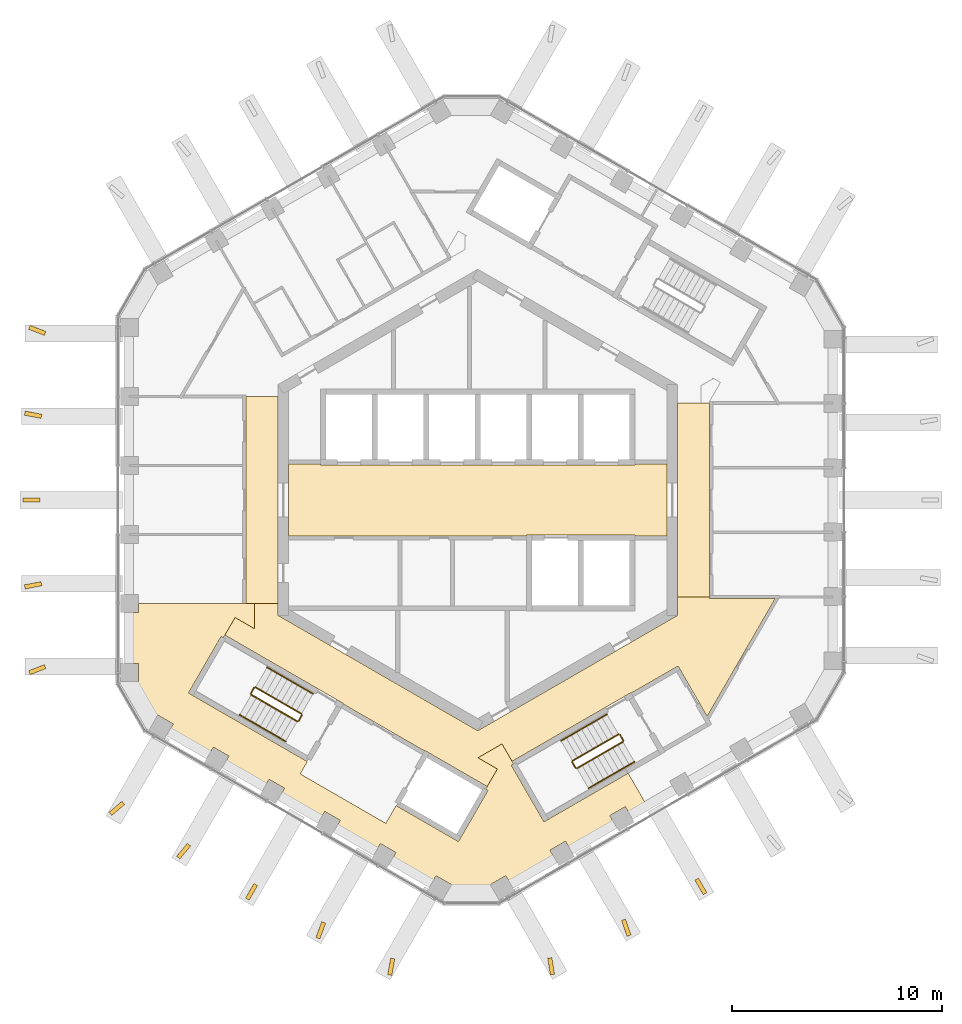
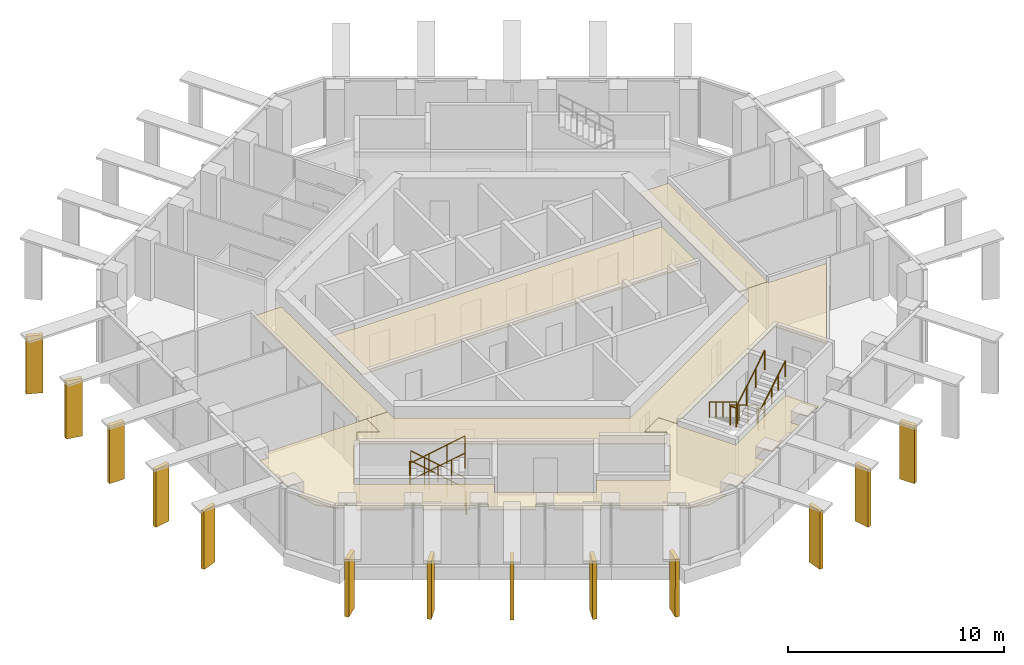
# One storey, part 16 of 19: 16 railings, 13 shading devices, 5 coverings.
"""IFC4 building model written with IfcOpenShell, lengths in metres."""

from ifc_helpers import new_model, si_unit, direction, frame, origin, origin_2d, place, context, subcontext, project, spatial, polyline, circle, outline, extrude, material, layer, layer_set, type_object, element, save


model = new_model("IFC4")

# Units and contexts
model_context = context("Model", 3, precision=1e-05, world=origin(), true_north=direction((0.0, 1.0)))
body_context = subcontext(model_context, "Body", "Model", "MODEL_VIEW")
ifc_project = project(units=[si_unit("LENGTHUNIT", "METRE"), si_unit("AREAUNIT", "SQUARE_METRE"), si_unit("VOLUMEUNIT", "CUBIC_METRE"), si_unit("PLANEANGLEUNIT", "RADIAN"), si_unit("MASSUNIT", "GRAM", prefix="KILO")], contexts=[model_context])

# Site, building, storey
site_placement = place(None, origin())
site = spatial("IfcSite", under=ifc_project, at=site_placement, CompositionType="ELEMENT")
building_placement = place(site_placement, origin())
building = spatial("IfcBuilding", under=site, at=building_placement, Name="Ayvan Gate Tower", CompositionType="ELEMENT")
storey_placement = place(building_placement, frame((0.0, 0.0, 235.89990234375)))
storey = spatial("IfcBuildingStorey", under=building, at=storey_placement, Name="L63", CompositionType="ELEMENT", Elevation=235.89990234375)

# Coverings
ifc_material_1 = material(Name="Plasterboard suspended ceiling")
ifc_layer_1 = layer(ifc_material_1, 0.050048828125)
ifc_layer_set_1 = layer_set([ifc_layer_1], Name="Plasterboard suspended ceiling")
covering_type = type_object("IfcCoveringType", Name="CT-SUSP-50", PredefinedType="CEILING", material=ifc_layer_set_1)
covering_1_placement = place(storey_placement, frame((0.0, 0.0, 2.7001953125)))
element("IfcCovering", 1, at=covering_1_placement, inside=storey, type_object=covering_type, Name="Ceiling Lift Lobby L63", PredefinedType="CEILING", context=body_context, shape_type="SweptSolid", body=[
    extrude(outline(polyline([(7.47509765625, -1.675048828125), (2.324951171875, -1.675048828125), (2.324951171875, -1.699951171875), (-9.0, -1.699951171875), (-9.0, 1.699951171875), (-7.47509765625, 1.699951171875), (-7.47509765625, 1.675048828125), (7.47509765625, 1.675048828125), (7.47509765625, 1.699951171875), (9.0, 1.699951171875), (9.0, -1.699951171875), (7.47509765625, -1.699951171875), (7.47509765625, -1.675048828125)])), origin(), (0.0, 0.0, 1.0), 0.0498046875),
])
covering_2_placement = place(storey_placement, frame((0.0, 0.0, 2.7001953125)))
element("IfcCovering", 2, at=covering_2_placement, inside=storey, type_object=covering_type, Name="Ceiling Gallery L63", PredefinedType="CEILING", context=body_context, shape_type="SweptSolid", body=[
    extrude(outline(polyline([(-4.66748046875, -8.27490234375), (0.0, -10.9697265625), (4.66748046875, -8.27490234375), (8.38720703125, -6.127197265625), (9.5, -5.48486328125), (9.5, -4.605224609375), (11.02490234375, -4.605224609375), (11.02490234375, -4.68017578125), (14.14453125, -4.68017578125), (10.906005859375, -10.28955078125), (9.623779296875, -8.069091796875), (9.52392578125, -7.89599609375), (7.2939453125, -9.183349609375), (7.281494140625, -9.16162109375), (1.630615234375, -12.42431640625), (1.153076171875, -11.59716796875), (0.010009765625, -12.257080078125), (0.930419921875, -12.78857421875), (0.447998046875, -13.624267578125), (-2.284423828125, -12.046630859375), (-2.518310546875, -11.91162109375), (-2.53076171875, -11.933349609375), (-6.384521484375, -9.70849609375), (-6.3720703125, -9.686767578125), (-12.02294921875, -6.42431640625), (-11.540283203125, -5.58837890625), (-10.6201171875, -6.119873046875), (-10.6201171875, -4.91357421875), (-9.5, -4.91357421875), (-9.5, -5.48486328125), (-4.66748046875, -8.27490234375)])), origin(), (0.0, 0.0, 1.0), 0.0498046875),
])
covering_3_placement = place(storey_placement, frame((0.0, 0.0, 2.7001953125)))
element("IfcCovering", 3, at=covering_3_placement, inside=storey, type_object=covering_type, Name="Ceiling Lift Lounge Lobby L63", PredefinedType="CEILING", context=body_context, shape_type="SweptSolid", body=[
    extrude(outline(polyline([(11.02490234375, -4.605224609375), (9.5, -4.605224609375), (9.5, 4.605224609375), (11.02490234375, 4.605224609375), (11.02490234375, -4.5302734375), (11.02490234375, -4.5302734375), (11.02490234375, -4.605224609375)])), origin(), (0.0, 0.0, 1.0), 0.0498046875),
])
covering_4_placement = place(storey_placement, frame((0.0, 0.0, 2.7001953125)))
element("IfcCovering", 4, at=covering_4_placement, inside=storey, type_object=covering_type, Name="Ceiling Lift Lounge Lobby L63", PredefinedType="CEILING", context=body_context, shape_type="SweptSolid", body=[
    extrude(outline(polyline([(-11.02490234375, 4.91357421875), (-9.5, 4.91357421875), (-9.5, -4.91357421875), (-11.02490234375, -4.91357421875), (-11.02490234375, 4.91357421875)])), origin(), (0.0, 0.0, 1.0), 0.0498046875),
])
covering_5_placement = place(storey_placement, frame((0.0, 0.0, 2.7001953125)))
element("IfcCovering", 5, at=covering_5_placement, inside=storey, type_object=covering_type, Name="Ceiling Shared Kitchen L63", PredefinedType="CEILING", context=body_context, shape_type="SweptSolid", body=[
    extrude(outline(polyline([(-13.53955078125, -9.301513671875), (-8.106201171875, -12.438232421875), (-8.444091796875, -13.023681640625), (-4.3720703125, -15.374755859375), (-3.88427734375, -14.529541015625), (-0.9189453125, -16.24169921875), (-0.803955078125, -16.042236328125), (0.483642578125, -13.812255859375), (0.376220703125, -13.750244140625), (0.38671875, -13.732177734375), (0.931640625, -12.7880859375), (0.011962890625, -12.257080078125), (1.152587890625, -11.5986328125), (1.691650390625, -12.531982421875), (1.7021484375, -12.55029296875), (1.5947265625, -12.6123046875), (3.147216796875, -15.30126953125), (3.346435546875, -15.186279296875), (7.15185546875, -12.9892578125), (8.03466796875, -14.5185546875), (7.241943359375, -14.976318359375), (7.0146484375, -14.58251953125), (6.278564453125, -15.00732421875), (6.505859375, -15.401123046875), (4.3994140625, -16.617431640625), (4.171875, -16.2236328125), (3.435791015625, -16.648681640625), (3.6630859375, -17.04248046875), (1.556396484375, -18.2587890625), (1.3291015625, -17.864990234375), (0.593017578125, -18.2900390625), (0.760986328125, -18.5810546875), (-0.296630859375, -18.864501953125), (-1.406005859375, -18.5673828125), (-1.245849609375, -18.2900390625), (-1.98193359375, -17.864990234375), (-2.194580078125, -18.23291015625), (-4.105224609375, -17.1298828125), (-3.892822265625, -16.76171875), (-4.62890625, -16.3369140625), (-4.84130859375, -16.704833984375), (-6.752197265625, -15.6015625), (-6.539794921875, -15.2333984375), (-7.27587890625, -14.80859375), (-7.48828125, -15.176513671875), (-9.399169921875, -14.073486328125), (-9.186767578125, -13.705322265625), (-9.9228515625, -13.2802734375), (-10.13525390625, -13.6484375), (-12.046142578125, -12.545166015625), (-11.83349609375, -12.177001953125), (-12.569580078125, -11.752197265625), (-12.7822265625, -12.1201171875), (-14.693115234375, -11.01708984375), (-14.48046875, -10.64892578125), (-15.216552734375, -10.223876953125), (-15.376708984375, -10.501220703125), (-16.188720703125, -9.689208984375), (-16.472412109375, -8.63134765625), (-16.135986328125, -8.63134765625), (-16.135986328125, -7.781494140625), (-16.5908203125, -7.781494140625), (-16.5908203125, -5.348876953125), (-16.135986328125, -5.348876953125), (-16.135986328125, -4.91455078125), (-10.62109375, -4.91455078125), (-10.62109375, -6.1181640625), (-11.540771484375, -5.587158203125), (-12.09619140625, -6.54931640625), (-12.20361328125, -6.4873046875), (-13.756103515625, -9.17626953125), (-13.53955078125, -9.30126953125), (-13.53955078125, -9.301513671875)])), origin(), (0.0, 0.0, 1.0), 0.0498046875),
])

# Shading devices
ifc_material_2 = material(Name="Bronze anodised aluminium", Category="aluminium")
ifc_layer_2 = layer(ifc_material_2, 0.199951171875)
ifc_layer_set_2 = layer_set([ifc_layer_2], Name="Bronze anodised aluminium")
shading_device_type = type_object("IfcShadingDeviceType", Name="Crown frame rib 800 x 200", PredefinedType="USERDEFINED", material=ifc_layer_set_2)
shading_device_1_placement = place(storey_placement, frame((-20.53271484375, 8.013916015625, 0.0), z_axis=(0.359255148715, 0.933239266948, 0.000456890087), x_axis=(-0.933239364358, 0.359255186202, 2.5047e-08)))
element("IfcShadingDevice", 6, at=shading_device_1_placement, inside=storey, type_object=shading_device_type, Name="CROWN FRAME rib FR01.4.1", ObjectType="FIN", PredefinedType="USERDEFINED", context=body_context, shape_type="SweptSolid", body=[
    extrude(outline(polyline([(0.0, 0.0), (0.7999729810463699, 0.0), (0.7996746521276092, 3.280029619196573), (-7.048727707170112e-05, 3.280029659264141), (0.0, 0.0)])), origin(), (0.0, 0.0, -1.0), 0.199951171875),
])
shading_device_2_placement = place(storey_placement, frame((-20.730712890625, 4.077392578125, 0.0), z_axis=(0.188304006294, 0.982110684367, 0.00045262137), x_axis=(-0.982110784967, 0.188304025583, 0.0)))
element("IfcShadingDevice", 7, at=shading_device_2_placement, inside=storey, type_object=shading_device_type, Name="CROWN FRAME rib FR01.4.2", ObjectType="FIN", PredefinedType="USERDEFINED", context=body_context, shape_type="SweptSolid", body=[
    extrude(outline(polyline([(0.0, 0.0), (0.7999551000512035, -1.3552527156068805e-20), (0.7999190372170901, 3.280029632858465), (-3.606283411336775e-05, 3.280029632858465), (0.0, 0.0)])), origin(), (0.0, 0.0, -1.0), 0.199951171875),
])
shading_device_3_placement = place(storey_placement, frame((-20.815673828125, 0.099853515625, 0.0), z_axis=(0.0, 0.999999900277, 0.000446594671), x_axis=(-1.0, 0.0, 0.0)))
element("IfcShadingDevice", 8, at=shading_device_3_placement, inside=storey, type_object=shading_device_type, Name="CROWN FRAME rib FR01.4.3", ObjectType="FIN", PredefinedType="USERDEFINED", context=body_context, shape_type="SweptSolid", body=[
    extrude(outline(polyline([(0.0, 0.0), (0.800048828125, 0.0), (0.800048828125, 3.280029623970722), (0.0, 3.280029623970722), (0.0, 0.0)])), origin(), (0.0, 0.0, -1.0), 0.199951171875),
])
shading_device_4_placement = place(storey_placement, frame((-20.768310546875, -3.88134765625, 0.0), z_axis=(-0.188304006294, 0.982110684367, 0.00045262137), x_axis=(-0.982110784967, -0.188304025583, 0.0)))
element("IfcShadingDevice", 9, at=shading_device_4_placement, inside=storey, type_object=shading_device_type, Name="CROWN FRAME rib FR01.4.4", ObjectType="FIN", PredefinedType="USERDEFINED", context=body_context, shape_type="SweptSolid", body=[
    extrude(outline(polyline([(0.0, 0.0), (0.7999551000512035, 1.3552527156068805e-20), (0.7999911628853169, 3.280029632858465), (3.606283411336775e-05, 3.280029632858465), (0.0, 0.0)])), origin(), (0.0, 0.0, -1.0), 0.199951171875),
])
shading_device_5_placement = place(storey_placement, frame((-20.6044921875, -7.827392578125, 0.0), z_axis=(-0.359336880655, 0.933207797065, 0.000462274174), x_axis=(-0.933207896788, -0.359336919022, -6.5828e-08)))
element("IfcShadingDevice", 10, at=shading_device_5_placement, inside=storey, type_object=shading_device_type, Name="CROWN FRAME rib FR01.4.5", ObjectType="FIN", PredefinedType="USERDEFINED", context=body_context, shape_type="SweptSolid", body=[
    extrude(outline(polyline([(0.0, 0.0), (0.7999729741374689, 0.0), (0.7998156287811138, 3.2800296999924683), (-0.0002450740963507034, 3.280029594664938), (0.0, 0.0)])), origin(), (0.0, 0.0, -1.0), 0.199951171875),
])
shading_device_6_placement = place(storey_placement, frame((-16.923095703125, -14.32470703125, 0.0), z_axis=(-0.64945821462, 0.760397153067, 0.000443926355), x_axis=(-0.76039722798, -0.649458278629, 4.4001e-08)))
element("IfcShadingDevice", 11, at=shading_device_6_placement, inside=storey, type_object=shading_device_type, Name="CROWN FRAME rib FR01.5.1", ObjectType="FIN", PredefinedType="USERDEFINED", context=body_context, shape_type="SweptSolid", body=[
    extrude(outline(polyline([(0.0, 0.0), (0.7998527128470831, 0.0), (0.7997445183538043, 3.280029584884204), (-0.000293838347766004, 3.280029655280958), (0.0, 0.0)])), origin(), (0.0, 0.0, -1.0), 0.199951171875),
])
shading_device_7_placement = place(storey_placement, frame((-13.805908203125, -16.323486328125, 0.0), z_axis=(-0.766467633764, 0.642282790236, 0.000428670379), x_axis=(-0.642282849249, -0.766467704187, 0.0)))
element("IfcShadingDevice", 12, at=shading_device_7_placement, inside=storey, type_object=shading_device_type, Name="CROWN FRAME rib FR01.5.2", ObjectType="FIN", PredefinedType="USERDEFINED", context=body_context, shape_type="SweptSolid", body=[
    extrude(outline(polyline([(0.0, 0.0), (0.8001397144983105, 0.0), (0.799917055530126, 3.280029598241335), (-0.00022265896818451057, 3.280029598241335), (0.0, 0.0)])), origin(), (0.0, 0.0, -1.0), 0.199951171875),
])
shading_device_8_placement = place(storey_placement, frame((-10.642822265625, -18.23388671875, 0.0), z_axis=(-0.866027960833, 0.499995353709, 0.000466180859), x_axis=(-0.499995408015, -0.866028054952, 6.1604e-08)))
element("IfcShadingDevice", 13, at=shading_device_8_placement, inside=storey, type_object=shading_device_type, Name="CROWN FRAME rib FR01.5.3", ObjectType="FIN", PredefinedType="USERDEFINED", context=body_context, shape_type="SweptSolid", body=[
    extrude(outline(polyline([(0.0, 0.0), (0.7999951411821996, 2.710505431213761e-20), (0.8000192951799547, 3.2800296040061703), (-9.791519365480118e-05, 3.2800297025795357), (0.0, 0.0)])), origin(), (0.0, 0.0, -1.0), 0.199951171875),
])
shading_device_9_placement = place(storey_placement, frame((-7.421142578125, -20.049560546875, 0.0), z_axis=(-0.939378296477, 0.342882233948, 0.000435604399), x_axis=(-0.342882266505, -0.939378385592, -6.2438e-08)))
element("IfcShadingDevice", 14, at=shading_device_9_placement, inside=storey, type_object=shading_device_type, Name="CROWN FRAME rib FR01.5.4", ObjectType="FIN", PredefinedType="USERDEFINED", context=body_context, shape_type="SweptSolid", body=[
    extrude(outline(polyline([(0.0, 0.0), (0.8000015474614476, 0.0), (0.7999577545688163, 3.2800296580179005), (3.991859821480439e-05, 3.280029558121429), (0.0, 0.0)])), origin(), (0.0, 0.0, -1.0), 0.199951171875),
])
shading_device_10_placement = place(storey_placement, frame((-4.140625, -21.78173828125, 0.0), z_axis=(-0.983236331323, 0.182335104893, 0.000475700495), x_axis=(-0.18233512549, -0.983236442578, 7.1368e-08)))
element("IfcShadingDevice", 15, at=shading_device_10_placement, inside=storey, type_object=shading_device_type, Name="CROWN FRAME rib FR01.5.5", ObjectType="FIN", PredefinedType="USERDEFINED", context=body_context, shape_type="SweptSolid", body=[
    extrude(outline(polyline([(0.0, 0.0), (0.8000102265386648, 0.0), (0.7997433681601706, 3.280029610919141), (-0.0003113737899909043, 3.2800297251132515), (0.0, 0.0)])), origin(), (0.0, 0.0, -1.0), 0.199951171875),
])
shading_device_11_placement = place(storey_placement, frame((3.326171875, -21.788818359375, 0.0), z_axis=(-0.98786163665, -0.155335672862, 0.000464297817), x_axis=(0.155335689605, -0.987861743127, 0.0)))
element("IfcShadingDevice", 16, at=shading_device_11_placement, inside=storey, type_object=shading_device_type, Name="CROWN FRAME rib FR01.6.1", ObjectType="FIN", PredefinedType="USERDEFINED", context=body_context, shape_type="SweptSolid", body=[
    extrude(outline(polyline([(0.0, 0.0), (0.7999937325470513, 0.0), (0.7997389206943598, 3.280029650417054), (-0.0002548118526914168, 3.280029650417054), (0.0, 0.0)])), origin(), (0.0, 0.0, -1.0), 0.199951171875),
])
shading_device_12_placement = place(storey_placement, frame((6.834228515625, -19.991943359375, 0.0), z_axis=(-0.944720841137, -0.327875498644, 0.000435557545), x_axis=(0.327875529719, -0.944720930758, -6.2783e-08)))
element("IfcShadingDevice", 17, at=shading_device_12_placement, inside=storey, type_object=shading_device_type, Name="CROWN FRAME rib FR01.6.2", ObjectType="FIN", PredefinedType="USERDEFINED", context=body_context, shape_type="SweptSolid", body=[
    extrude(outline(polyline([(0.0, 0.0), (0.8000474415389879, -2.710505431213761e-20), (0.8000662325118122, 3.2800296582335573), (-6.125676392356011e-05, 3.280029557769467), (0.0, 0.0)])), origin(), (0.0, 0.0, -1.0), 0.199951171875),
])
shading_device_13_placement = place(storey_placement, frame((10.3212890625, -18.076904296875, 0.0), z_axis=(-0.86598980202, -0.500061424003, 0.00048479039), x_axis=(0.500061482777, -0.865989903776, 2.7065e-08)))
element("IfcShadingDevice", 18, at=shading_device_13_placement, inside=storey, type_object=shading_device_type, Name="CROWN FRAME rib FR01.6.3", ObjectType="FIN", PredefinedType="USERDEFINED", context=body_context, shape_type="SweptSolid", body=[
    extrude(outline(polyline([(0.0, 0.0), (0.8001172161106613, -2.710505431213761e-20), (0.7998820382336601, 3.2800296606654027), (9.833076229400442e-05, 3.280029703966577), (0.0, 0.0)])), origin(), (0.0, 0.0, -1.0), 0.199951171875),
])

# Railings
ifc_material_3 = material(Name="Stainless steel balustrade", Category="steel")
railing_type_1 = type_object("IfcRailingType", Name="RL-GUARD-1100", PredefinedType="GUARDRAIL", material=ifc_material_3)
railing_1_placement = place(storey_placement, frame((-8.381103515625, -10.16650390625, 0.170166015625)))
element("IfcRailing", 19, at=railing_1_placement, inside=storey, type_object=railing_type_1, Name="L63 STS2 stair guard 1", PredefinedType="GUARDRAIL", context=body_context, shape_type="SweptSolid", body=[
    extrude(circle(Radius=0.02392578125, at=origin_2d()), frame((0.0, 0.0, 1.076171875), z_axis=(-0.740261155115, 0.427395438142, 0.518986090067), x_axis=(-0.500004791531, -0.866022637375, 0.0)), (0.0, 0.0, 1.0), 2.947998046875),
    extrude(circle(Radius=0.02099609375, at=origin_2d()), origin(), (0.0, 0.0, 1.0), 1.052001953125),
    extrude(circle(Radius=0.02099609375, at=origin_2d()), frame((-0.7275390625, 0.419921875, 0.510009765625)), (0.0, 0.0, 1.0), 1.052001953125),
    extrude(circle(Radius=0.02099609375, at=origin_2d()), frame((-1.454833984375, 0.840087890625, 1.02001953125)), (0.0, 0.0, 1.0), 1.052001953125),
    extrude(circle(Radius=0.02099609375, at=origin_2d()), frame((-2.182373046875, 1.260009765625, 1.530029296875)), (0.0, 0.0, 1.0), 1.052001953125),
])
railing_2_placement = place(storey_placement, frame((-10.6318359375, -8.9248046875, 1.7001953125)))
element("IfcRailing", 20, at=railing_2_placement, inside=storey, type_object=railing_type_1, Name="L63 STS2 stair guard 2", PredefinedType="GUARDRAIL", context=body_context, shape_type="SweptSolid", body=[
    extrude(circle(Radius=0.02392578125, at=origin_2d()), frame((0.0, 0.0, 1.076171875), z_axis=(-0.499949632511, -0.866054481515, 0.0), x_axis=(0.866054481515, -0.499949632511, 0.0)), (0.0, 0.0, 1.0), 0.31005859375),
    extrude(circle(Radius=0.02099609375, at=origin_2d()), origin(), (0.0, 0.0, 1.0), 1.052001953125),
    extrude(circle(Radius=0.02099609375, at=origin_2d()), frame((-0.155029296875, -0.2685546875, 0.0)), (0.0, 0.0, 1.0), 1.052001953125),
])
railing_3_placement = place(storey_placement, frame((-10.7685546875, -9.261474609375, 1.8701171875)))
element("IfcRailing", 21, at=railing_3_placement, inside=storey, type_object=railing_type_1, Name="L63 STS2 stair guard 3", PredefinedType="GUARDRAIL", context=body_context, shape_type="SweptSolid", body=[
    extrude(circle(Radius=0.02392578125, at=origin_2d()), frame((0.0, 0.0, 1.076171875), z_axis=(0.740261155115, -0.427395438142, 0.518986090067), x_axis=(0.500004791531, 0.866022637375, 0.0)), (0.0, 0.0, 1.0), 2.947998046875),
    extrude(circle(Radius=0.02099609375, at=origin_2d()), origin(), (0.0, 0.0, 1.0), 1.052001953125),
    extrude(circle(Radius=0.02099609375, at=origin_2d()), frame((0.7275390625, -0.419921875, 0.510009765625)), (0.0, 0.0, 1.0), 1.052001953125),
    extrude(circle(Radius=0.02099609375, at=origin_2d()), frame((1.454833984375, -0.840087890625, 1.02001953125)), (0.0, 0.0, 1.0), 1.052001953125),
    extrude(circle(Radius=0.02099609375, at=origin_2d()), frame((2.182373046875, -1.260009765625, 1.530029296875)), (0.0, 0.0, 1.0), 1.052001953125),
])
railing_4_placement = place(storey_placement, frame((-8.36279296875, -10.23486328125, 0.0)))
element("IfcRailing", 22, at=railing_4_placement, inside=storey, type_object=railing_type_1, Name="L63 STS2 stair guard 4", PredefinedType="GUARDRAIL", context=body_context, shape_type="SweptSolid", body=[
    extrude(circle(Radius=0.02392578125, at=origin_2d()), frame((0.0, 0.0, 1.076171875), z_axis=(-0.500290723946, -0.86585748916, 0.0), x_axis=(0.86585748916, -0.500290723946, 0.0)), (0.0, 0.0, 1.0), 0.309814453125),
    extrude(circle(Radius=0.02099609375, at=origin_2d()), origin(), (0.0, 0.0, 1.0), 1.052001953125),
    extrude(circle(Radius=0.02099609375, at=origin_2d()), frame((-0.155029296875, -0.268310546875, 0.0)), (0.0, 0.0, 1.0), 1.052001953125),
])
railing_5_placement = place(storey_placement, frame((6.6923828125, -11.1416015625, 0.170166015625)))
element("IfcRailing", 23, at=railing_5_placement, inside=storey, type_object=railing_type_1, Name="L63 STS3 stair guard 1", PredefinedType="GUARDRAIL", context=body_context, shape_type="SweptSolid", body=[
    extrude(circle(Radius=0.02392578125, at=origin_2d()), frame((0.0, 0.0, 1.076171875), z_axis=(-0.740261155115, -0.427395438142, 0.518986090067), x_axis=(0.500004791531, -0.866022637375, 0.0)), (0.0, 0.0, 1.0), 2.947998046875),
    extrude(circle(Radius=0.02099609375, at=origin_2d()), origin(), (0.0, 0.0, 1.0), 1.052001953125),
    extrude(circle(Radius=0.02099609375, at=origin_2d()), frame((-0.7275390625, -0.419921875, 0.510009765625)), (0.0, 0.0, 1.0), 1.052001953125),
    extrude(circle(Radius=0.02099609375, at=origin_2d()), frame((-1.454833984375, -0.840087890625, 1.02001953125)), (0.0, 0.0, 1.0), 1.052001953125),
    extrude(circle(Radius=0.02099609375, at=origin_2d()), frame((-2.182373046875, -1.260009765625, 1.530029296875)), (0.0, 0.0, 1.0), 1.052001953125),
])
railing_6_placement = place(storey_placement, frame((4.49169921875, -12.4697265625, 1.7001953125)))
element("IfcRailing", 24, at=railing_6_placement, inside=storey, type_object=railing_type_1, Name="L63 STS3 stair guard 2", PredefinedType="GUARDRAIL", context=body_context, shape_type="SweptSolid", body=[
    extrude(circle(Radius=0.02392578125, at=origin_2d()), frame((0.0, 0.0, 1.076171875), z_axis=(0.499949632511, -0.866054481515, 0.0), x_axis=(0.866054481515, 0.499949632511, 0.0)), (0.0, 0.0, 1.0), 0.31005859375),
    extrude(circle(Radius=0.02099609375, at=origin_2d()), origin(), (0.0, 0.0, 1.0), 1.052001953125),
    extrude(circle(Radius=0.02099609375, at=origin_2d()), frame((0.155029296875, -0.2685546875, 0.0)), (0.0, 0.0, 1.0), 1.052001953125),
])
railing_7_placement = place(storey_placement, frame((4.715087890625, -12.756591796875, 1.8701171875)))
element("IfcRailing", 25, at=railing_7_placement, inside=storey, type_object=railing_type_1, Name="L63 STS3 stair guard 3", PredefinedType="GUARDRAIL", context=body_context, shape_type="SweptSolid", body=[
    extrude(circle(Radius=0.02392578125, at=origin_2d()), frame((0.0, 0.0, 1.076171875), z_axis=(0.740261155115, 0.427395438142, 0.518986090067), x_axis=(-0.500004791531, 0.866022637375, 0.0)), (0.0, 0.0, 1.0), 2.947998046875),
    extrude(circle(Radius=0.02099609375, at=origin_2d()), origin(), (0.0, 0.0, 1.0), 1.052001953125),
    extrude(circle(Radius=0.02099609375, at=origin_2d()), frame((0.7275390625, 0.419921875, 0.510009765625)), (0.0, 0.0, 1.0), 1.052001953125),
    extrude(circle(Radius=0.02099609375, at=origin_2d()), frame((1.454833984375, 0.840087890625, 1.02001953125)), (0.0, 0.0, 1.0), 1.052001953125),
    extrude(circle(Radius=0.02099609375, at=origin_2d()), frame((2.182373046875, 1.260009765625, 1.530029296875)), (0.0, 0.0, 1.0), 1.052001953125),
])
railing_8_placement = place(storey_placement, frame((6.7607421875, -11.159912109375, 0.0)))
element("IfcRailing", 26, at=railing_8_placement, inside=storey, type_object=railing_type_1, Name="L63 STS3 stair guard 4", PredefinedType="GUARDRAIL", context=body_context, shape_type="SweptSolid", body=[
    extrude(circle(Radius=0.02392578125, at=origin_2d()), frame((0.0, 0.0, 1.076171875), z_axis=(0.500290723946, -0.86585748916, 0.0), x_axis=(0.86585748916, 0.500290723946, 0.0)), (0.0, 0.0, 1.0), 0.309814453125),
    extrude(circle(Radius=0.02099609375, at=origin_2d()), origin(), (0.0, 0.0, 1.0), 1.052001953125),
    extrude(circle(Radius=0.02099609375, at=origin_2d()), frame((0.155029296875, -0.268310546875, 0.0)), (0.0, 0.0, 1.0), 1.052001953125),
])
railing_type_2 = type_object("IfcRailingType", Name="RL-HANDRAIL-900", PredefinedType="HANDRAIL", material=ifc_material_3)
railing_9_placement = place(storey_placement, frame((-7.8310546875, -9.2138671875, 0.170166015625)))
element("IfcRailing", 27, at=railing_9_placement, inside=storey, type_object=railing_type_2, Name="L63 STS2 stair handrail 1", PredefinedType="HANDRAIL", context=body_context, shape_type="SweptSolid", body=[
    extrude(circle(Radius=0.02392578125, at=origin_2d()), frame((0.0, 0.0, 0.8759765625), z_axis=(-0.740356597536, 0.427319915356, 0.518912129772), x_axis=(-0.499890179513, -0.866088799389, 0.0)), (0.0, 0.0, 1.0), 1.47412109375),
    extrude(circle(Radius=0.02099609375, at=origin_2d()), origin(), (0.0, 0.0, 1.0), 0.851806640625),
    extrude(circle(Radius=0.02099609375, at=origin_2d()), frame((-0.545654296875, 0.31494140625, 0.38232421875)), (0.0, 0.0, 1.0), 0.851806640625),
    extrude(circle(Radius=0.02099609375, at=origin_2d()), frame((-1.09130859375, 0.6298828125, 0.764892578125)), (0.0, 0.0, 1.0), 0.851806640625),
])
railing_10_placement = place(storey_placement, frame((-8.92236328125, -8.583984375, 0.93505859375)))
element("IfcRailing", 28, at=railing_10_placement, inside=storey, type_object=railing_type_2, Name="L63 STS2 stair handrail 2", PredefinedType="HANDRAIL", context=body_context, shape_type="SweptSolid", body=[
    extrude(circle(Radius=0.02392578125, at=origin_2d()), frame((0.0, 0.0, 0.8759765625), z_axis=(-0.740165700939, 0.427470949681, 0.519060037311), x_axis=(-0.50011940292, -0.865956455501, 0.0)), (0.0, 0.0, 1.0), 1.47412109375),
    extrude(circle(Radius=0.02099609375, at=origin_2d()), origin(), (0.0, 0.0, 1.0), 0.851806640625),
    extrude(circle(Radius=0.02099609375, at=origin_2d()), frame((-0.54541015625, 0.31494140625, 0.382568359375)), (0.0, 0.0, 1.0), 0.851806640625),
    extrude(circle(Radius=0.02099609375, at=origin_2d()), frame((-1.091064453125, 0.630126953125, 0.76513671875)), (0.0, 0.0, 1.0), 0.851806640625),
])
railing_11_placement = place(storey_placement, frame((-11.318603515625, -10.214111328125, 1.8701171875)))
element("IfcRailing", 29, at=railing_11_placement, inside=storey, type_object=railing_type_2, Name="L63 STS2 stair handrail 3", PredefinedType="HANDRAIL", context=body_context, shape_type="SweptSolid", body=[
    extrude(circle(Radius=0.02392578125, at=origin_2d()), frame((0.0, 0.0, 0.8759765625), z_axis=(0.740304193401, -0.427455284825, 0.518875399983), x_axis=(0.500035496587, 0.86600490885, 0.0)), (0.0, 0.0, 1.0), 1.47412109375),
    extrude(circle(Radius=0.02099609375, at=origin_2d()), origin(), (0.0, 0.0, 1.0), 0.851806640625),
    extrude(circle(Radius=0.02099609375, at=origin_2d()), frame((0.545654296875, -0.31494140625, 0.38232421875)), (0.0, 0.0, 1.0), 0.851806640625),
    extrude(circle(Radius=0.02099609375, at=origin_2d()), frame((1.09130859375, -0.630126953125, 0.764892578125)), (0.0, 0.0, 1.0), 0.851806640625),
])
railing_12_placement = place(storey_placement, frame((-10.227294921875, -10.84423828125, 2.635009765625)))
element("IfcRailing", 30, at=railing_12_placement, inside=storey, type_object=railing_type_2, Name="L63 STS2 stair handrail 4", PredefinedType="HANDRAIL", context=body_context, shape_type="SweptSolid", body=[
    extrude(circle(Radius=0.02392578125, at=origin_2d()), frame((0.0, 0.0, 0.8759765625), z_axis=(0.740292964666, -0.42728318766, 0.519033143459), x_axis=(0.499890179513, 0.866088799389, 0.0)), (0.0, 0.0, 1.0), 1.47412109375),
    extrude(circle(Radius=0.02099609375, at=origin_2d()), origin(), (0.0, 0.0, 1.0), 0.851806640625),
    extrude(circle(Radius=0.02099609375, at=origin_2d()), frame((0.545654296875, -0.31494140625, 0.382568359375)), (0.0, 0.0, 1.0), 0.851806640625),
    extrude(circle(Radius=0.02099609375, at=origin_2d()), frame((1.09130859375, -0.6298828125, 0.76513671875)), (0.0, 0.0, 1.0), 0.851806640625),
])
railing_13_placement = place(storey_placement, frame((6.142333984375, -10.18896484375, 0.170166015625)))
element("IfcRailing", 31, at=railing_13_placement, inside=storey, type_object=railing_type_2, Name="L63 STS3 stair handrail 1", PredefinedType="HANDRAIL", context=body_context, shape_type="SweptSolid", body=[
    extrude(circle(Radius=0.02392578125, at=origin_2d()), frame((0.0, 0.0, 0.8759765625), z_axis=(-0.740281741151, -0.427372318678, 0.518975765278), x_axis=(0.499974077718, -0.866040369504, 0.0)), (0.0, 0.0, 1.0), 1.473876953125),
    extrude(circle(Radius=0.02099609375, at=origin_2d()), origin(), (0.0, 0.0, 1.0), 0.851806640625),
    extrude(circle(Radius=0.02099609375, at=origin_2d()), frame((-0.54541015625, -0.31494140625, 0.38232421875)), (0.0, 0.0, 1.0), 0.851806640625),
    extrude(circle(Radius=0.02099609375, at=origin_2d()), frame((-1.091064453125, -0.6298828125, 0.764892578125)), (0.0, 0.0, 1.0), 0.851806640625),
])
railing_14_placement = place(storey_placement, frame((5.05126953125, -10.81884765625, 0.93505859375)))
element("IfcRailing", 32, at=railing_14_placement, inside=storey, type_object=railing_type_2, Name="L63 STS3 stair handrail 2", PredefinedType="HANDRAIL", context=body_context, shape_type="SweptSolid", body=[
    extrude(circle(Radius=0.02392578125, at=origin_2d()), frame((0.0, 0.0, 0.8759765625), z_axis=(-0.740240574041, -0.427418550694, 0.518996411419), x_axis=(0.500035496587, -0.86600490885, 0.0)), (0.0, 0.0, 1.0), 1.474365234375),
    extrude(circle(Radius=0.02099609375, at=origin_2d()), origin(), (0.0, 0.0, 1.0), 0.851806640625),
    extrude(circle(Radius=0.02099609375, at=origin_2d()), frame((-0.545654296875, -0.31494140625, 0.382568359375)), (0.0, 0.0, 1.0), 0.851806640625),
    extrude(circle(Radius=0.02099609375, at=origin_2d()), frame((-1.09130859375, -0.630126953125, 0.76513671875)), (0.0, 0.0, 1.0), 0.851806640625),
])
railing_15_placement = place(storey_placement, frame((5.264892578125, -13.709228515625, 1.8701171875)))
element("IfcRailing", 33, at=railing_15_placement, inside=storey, type_object=railing_type_2, Name="L63 STS3 stair handrail 3", PredefinedType="HANDRAIL", context=body_context, shape_type="SweptSolid", body=[
    extrude(circle(Radius=0.02392578125, at=origin_2d()), frame((0.0, 0.0, 0.8759765625), z_axis=(0.740304193401, 0.427455284825, 0.518875399983), x_axis=(-0.500035496587, 0.86600490885, 0.0)), (0.0, 0.0, 1.0), 1.47412109375),
    extrude(circle(Radius=0.02099609375, at=origin_2d()), origin(), (0.0, 0.0, 1.0), 0.851806640625),
    extrude(circle(Radius=0.02099609375, at=origin_2d()), frame((0.545654296875, 0.31494140625, 0.38232421875)), (0.0, 0.0, 1.0), 0.851806640625),
    extrude(circle(Radius=0.02099609375, at=origin_2d()), frame((1.09130859375, 0.630126953125, 0.764892578125)), (0.0, 0.0, 1.0), 0.851806640625),
])
railing_16_placement = place(storey_placement, frame((6.356201171875, -13.0791015625, 2.635009765625)))
element("IfcRailing", 34, at=railing_16_placement, inside=storey, type_object=railing_type_2, Name="L63 STS3 stair handrail 4", PredefinedType="HANDRAIL", context=body_context, shape_type="SweptSolid", body=[
    extrude(circle(Radius=0.02392578125, at=origin_2d()), frame((0.0, 0.0, 0.8759765625), z_axis=(0.740218099111, 0.427335577468, 0.519096782863), x_axis=(-0.499974077718, 0.866040369504, 0.0)), (0.0, 0.0, 1.0), 1.473876953125),
    extrude(circle(Radius=0.02099609375, at=origin_2d()), origin(), (0.0, 0.0, 1.0), 0.851806640625),
    extrude(circle(Radius=0.02099609375, at=origin_2d()), frame((0.54541015625, 0.31494140625, 0.382568359375)), (0.0, 0.0, 1.0), 0.851806640625),
    extrude(circle(Radius=0.02099609375, at=origin_2d()), frame((1.091064453125, 0.6298828125, 0.76513671875)), (0.0, 0.0, 1.0), 0.851806640625),
])

save(model, "model.ifc")
